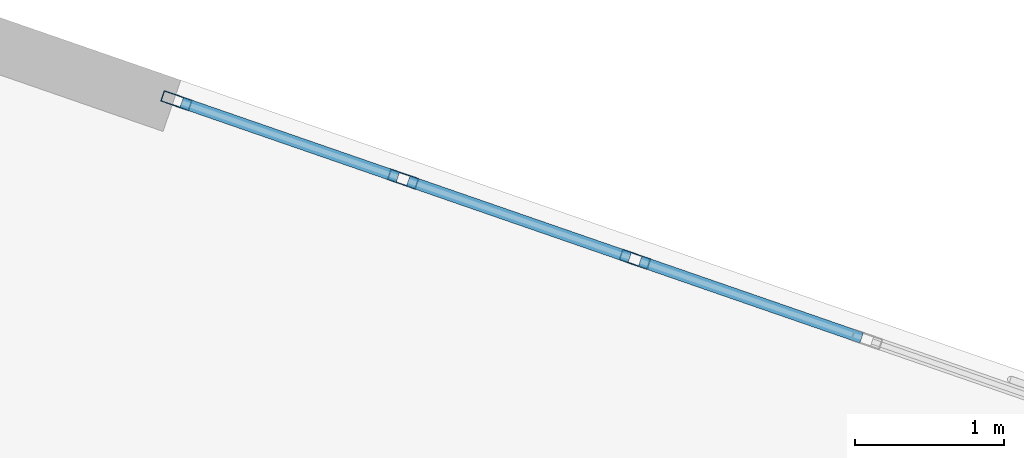
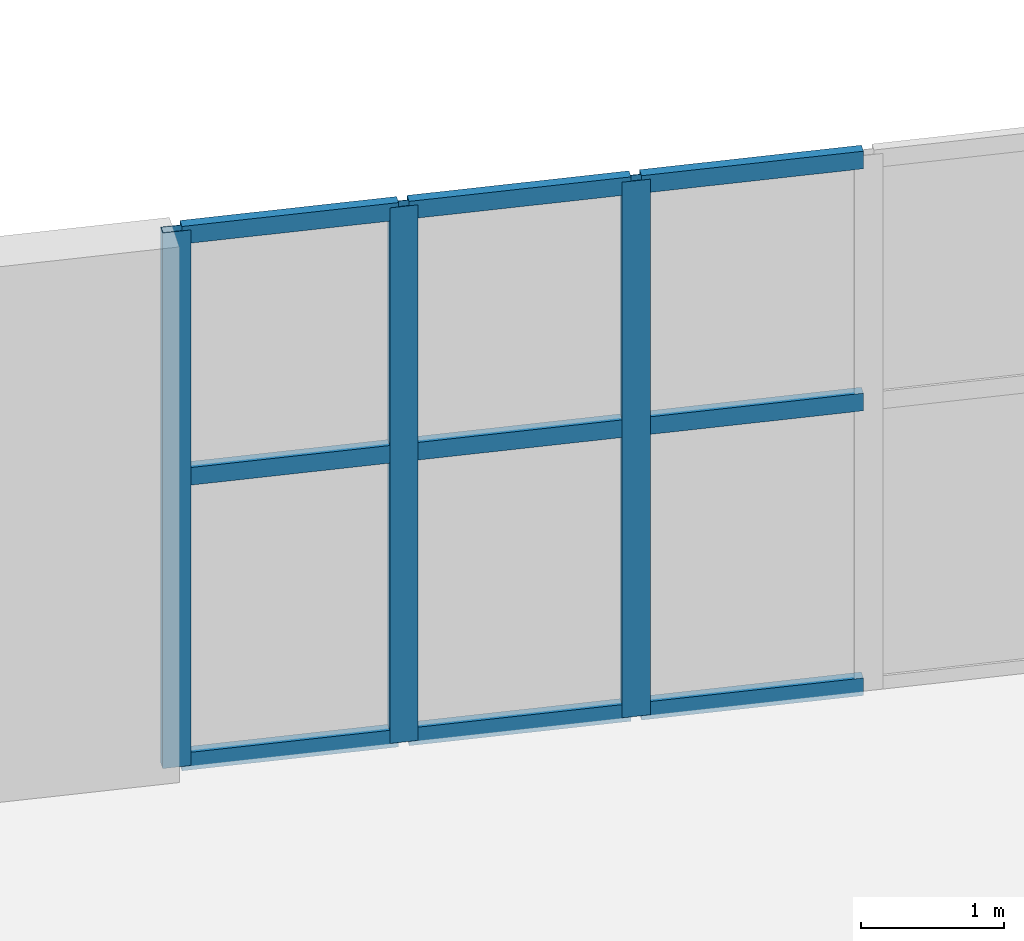
# One storey, part 38 of 72: 12 members, 1 element without a shape of its own.
"""IFC4 building model written with IfcOpenShell, lengths in metres."""

from ifc_helpers import new_model, si_unit, direction, frame, origin, origin_2d, place, context, subcontext, project, spatial, hollow_rectangle, extrude, material, layer, layer_set, material_profile, profile_set, type_object, element, aggregate, save


model = new_model("IFC4")

# Units and contexts
model_context = context("Model", 3, precision=1e-05, world=origin(), true_north=direction((0.0, 1.0)))
body_context = subcontext(model_context, "Body", "Model", "MODEL_VIEW")
ifc_project = project(units=[si_unit("LENGTHUNIT", "METRE"), si_unit("AREAUNIT", "SQUARE_METRE"), si_unit("VOLUMEUNIT", "CUBIC_METRE"), si_unit("PLANEANGLEUNIT", "RADIAN"), si_unit("MASSUNIT", "GRAM", prefix="KILO")], contexts=[model_context])

# Site, building, storey
site_placement = place(None, origin())
site = spatial("IfcSite", under=ifc_project, at=site_placement, CompositionType="ELEMENT")
building_placement = place(site_placement, origin())
building = spatial("IfcBuilding", under=site, at=building_placement, Name="Xicomal Pleat Aquarium", CompositionType="ELEMENT")
storey_placement = place(building_placement, frame((0.0, 0.0, 10.5)))
storey = spatial("IfcBuildingStorey", under=building, at=storey_placement, Name="L03", CompositionType="ELEMENT", Elevation=10.5)

# Curtain wall, members
ifc_material_1 = material(Name="Bronze anodized aluminium 6063-T6", Category="aluminium")
ifc_layer = layer(ifc_material_1, 0.159912109375)
ifc_layer_set = layer_set([ifc_layer], Name="Bronze anodized aluminium 6063-T6")
curtain_wall_type = type_object("IfcCurtainWallType", Name="CW-SYS-08", PredefinedType="NOTDEFINED", material=ifc_layer_set)
curtain_wall_placement = place(storey_placement, origin())
curtain_wall = element("IfcCurtainWall", 1, at=curtain_wall_placement, inside=storey, type_object=curtain_wall_type, Name="L03 unitised curtain wall CW-L03-142", PredefinedType="NOTDEFINED")
ifc_material_2 = material(Name="Bronze anodized aluminium 6063-T6", Category="aluminium")
ifc_material_profile_1 = material_profile(ifc_material_2, hollow_rectangle(XDim=0.074951171875, YDim=0.199951171875, WallThickness=0.00439453125, at=origin_2d()), Name="ALU MULL 75x200")
ifc_profile_set_1 = profile_set([ifc_material_profile_1], Name="Bronze anodized aluminium 6063-T6")
member_type_1 = type_object("IfcMemberType", Name="CWM-75x200", PredefinedType="MULLION", material=ifc_profile_set_1)
member_1_placement = place(storey_placement, frame((157.189453125, 27.5556640625, 0.0), z_axis=(0.0, 0.0, 1.0), x_axis=(0.327110563875, 0.944986073443, 0.0)))
member_1 = element("IfcMember", 2, at=member_1_placement, type_object=member_type_1, Name="CW-08 mullion 1", PredefinedType="MULLION", context=body_context, shape_type="SweptSolid", body=[
    extrude(hollow_rectangle(XDim=0.074951171875, YDim=0.199951171875, WallThickness=0.00439453125, at=origin_2d()), origin(), (0.0, 0.0, 1.0), 4.56005859375),
])
member_2_placement = place(storey_placement, frame((158.714111328125, 27.028076171875, 0.0), z_axis=(0.0, 0.0, 1.0), x_axis=(0.327110563875, 0.944986073443, 0.0)))
member_2 = element("IfcMember", 3, at=member_2_placement, type_object=member_type_1, Name="CW-08 mullion 2", PredefinedType="MULLION", context=body_context, shape_type="SweptSolid", body=[
    extrude(hollow_rectangle(XDim=0.074951171875, YDim=0.199951171875, WallThickness=0.00439453125, at=origin_2d()), origin(), (0.0, 0.0, 1.0), 4.56005859375),
])
member_3_placement = place(storey_placement, frame((160.27392578125, 26.488037109375, 0.0), z_axis=(0.0, 0.0, 1.0), x_axis=(0.327110563875, 0.944986073443, 0.0)))
member_3 = element("IfcMember", 4, at=member_3_placement, type_object=member_type_1, Name="CW-08 mullion 3", PredefinedType="MULLION", context=body_context, shape_type="SweptSolid", body=[
    extrude(hollow_rectangle(XDim=0.074951171875, YDim=0.199951171875, WallThickness=0.00439453125, at=origin_2d()), origin(), (0.0, 0.0, 1.0), 4.56005859375),
])
ifc_material_3 = material(Name="Bronze anodized aluminium 6063-T6", Category="aluminium")
ifc_material_profile_2 = material_profile(ifc_material_3, hollow_rectangle(XDim=0.074951171875, YDim=0.14990234375, WallThickness=0.00439453125, at=origin_2d()), Name="ALU TRAN 75x150")
ifc_profile_set_2 = profile_set([ifc_material_profile_2], Name="Bronze anodized aluminium 6063-T6")
member_type_2 = type_object("IfcMemberType", Name="CWT-75x150", PredefinedType="USERDEFINED", material=ifc_profile_set_2)
member_4_placement = place(storey_placement, frame((157.224853515625, 27.54345703125, 0.03759765625), z_axis=(0.94500305228, -0.327061509782, 0.0), x_axis=(0.327061509782, 0.94500305228, 0.0)))
member_4 = element("IfcMember", 5, at=member_4_placement, type_object=member_type_2, Name="CW-08 transom 1.1", ObjectType="TRANSOM", PredefinedType="USERDEFINED", context=body_context, shape_type="SweptSolid", body=[
    extrude(hollow_rectangle(XDim=0.074951171875, YDim=0.14990234375, WallThickness=0.00439453125, at=origin_2d()), origin(), (0.0, 0.0, 1.0), 1.53857421875),
])
member_5_placement = place(storey_placement, frame((157.224853515625, 27.54345703125, 2.4619140625), z_axis=(0.94500305228, -0.327061509782, 0.0), x_axis=(0.327061509782, 0.94500305228, 0.0)))
member_5 = element("IfcMember", 6, at=member_5_placement, type_object=member_type_2, Name="CW-08 transom 1.2", ObjectType="TRANSOM", PredefinedType="USERDEFINED", context=body_context, shape_type="SweptSolid", body=[
    extrude(hollow_rectangle(XDim=0.074951171875, YDim=0.14990234375, WallThickness=0.00439453125, at=origin_2d()), origin(), (0.0, 0.0, 1.0), 1.53857421875),
])
member_6_placement = place(storey_placement, frame((157.224853515625, 27.54345703125, 4.5224609375), z_axis=(0.94500305228, -0.327061509782, 0.0), x_axis=(0.327061509782, 0.94500305228, 0.0)))
member_6 = element("IfcMember", 7, at=member_6_placement, type_object=member_type_2, Name="CW-08 transom 1.3", ObjectType="TRANSOM", PredefinedType="USERDEFINED", context=body_context, shape_type="SweptSolid", body=[
    extrude(hollow_rectangle(XDim=0.074951171875, YDim=0.14990234375, WallThickness=0.00439453125, at=origin_2d()), origin(), (0.0, 0.0, 1.0), 1.53857421875),
])
member_7_placement = place(storey_placement, frame((158.74951171875, 27.015625, 0.03759765625), z_axis=(0.94499528366, -0.327083955371, 0.0), x_axis=(0.327083955371, 0.94499528366, 0.0)))
member_7 = element("IfcMember", 8, at=member_7_placement, type_object=member_type_2, Name="CW-08 transom 2.1", ObjectType="TRANSOM", PredefinedType="USERDEFINED", context=body_context, shape_type="SweptSolid", body=[
    extrude(hollow_rectangle(XDim=0.074951171875, YDim=0.14990234375, WallThickness=0.00439453125, at=origin_2d()), origin(), (0.0, 0.0, 1.0), 1.57568359375),
])
member_8_placement = place(storey_placement, frame((158.74951171875, 27.015625, 2.4619140625), z_axis=(0.94499528366, -0.327083955371, 0.0), x_axis=(0.327083955371, 0.94499528366, 0.0)))
member_8 = element("IfcMember", 9, at=member_8_placement, type_object=member_type_2, Name="CW-08 transom 2.2", ObjectType="TRANSOM", PredefinedType="USERDEFINED", context=body_context, shape_type="SweptSolid", body=[
    extrude(hollow_rectangle(XDim=0.074951171875, YDim=0.14990234375, WallThickness=0.00439453125, at=origin_2d()), origin(), (0.0, 0.0, 1.0), 1.57568359375),
])
member_9_placement = place(storey_placement, frame((158.74951171875, 27.015625, 4.5224609375), z_axis=(0.94499528366, -0.327083955371, 0.0), x_axis=(0.327083955371, 0.94499528366, 0.0)))
member_9 = element("IfcMember", 10, at=member_9_placement, type_object=member_type_2, Name="CW-08 transom 2.3", ObjectType="TRANSOM", PredefinedType="USERDEFINED", context=body_context, shape_type="SweptSolid", body=[
    extrude(hollow_rectangle(XDim=0.074951171875, YDim=0.14990234375, WallThickness=0.00439453125, at=origin_2d()), origin(), (0.0, 0.0, 1.0), 1.57568359375),
])
member_10_placement = place(storey_placement, frame((160.309326171875, 26.4755859375, 0.03759765625), z_axis=(0.945011856392, -0.327036070302, 0.0), x_axis=(0.327036070302, 0.945011856392, 0.0)))
member_10 = element("IfcMember", 11, at=member_10_placement, type_object=member_type_2, Name="CW-08 transom 3.1", ObjectType="TRANSOM", PredefinedType="USERDEFINED", context=body_context, shape_type="SweptSolid", body=[
    extrude(hollow_rectangle(XDim=0.074951171875, YDim=0.14990234375, WallThickness=0.00439453125, at=origin_2d()), origin(), (0.0, 0.0, 1.0), 1.575927734375),
])
member_11_placement = place(storey_placement, frame((160.309326171875, 26.4755859375, 2.4619140625), z_axis=(0.945011856392, -0.327036070302, 0.0), x_axis=(0.327036070302, 0.945011856392, 0.0)))
member_11 = element("IfcMember", 12, at=member_11_placement, type_object=member_type_2, Name="CW-08 transom 3.2", ObjectType="TRANSOM", PredefinedType="USERDEFINED", context=body_context, shape_type="SweptSolid", body=[
    extrude(hollow_rectangle(XDim=0.074951171875, YDim=0.14990234375, WallThickness=0.00439453125, at=origin_2d()), origin(), (0.0, 0.0, 1.0), 1.575927734375),
])
member_12_placement = place(storey_placement, frame((160.309326171875, 26.4755859375, 4.5224609375), z_axis=(0.945011856392, -0.327036070302, 0.0), x_axis=(0.327036070302, 0.945011856392, 0.0)))
member_12 = element("IfcMember", 13, at=member_12_placement, type_object=member_type_2, Name="CW-08 transom 3.3", ObjectType="TRANSOM", PredefinedType="USERDEFINED", context=body_context, shape_type="SweptSolid", body=[
    extrude(hollow_rectangle(XDim=0.074951171875, YDim=0.14990234375, WallThickness=0.00439453125, at=origin_2d()), origin(), (0.0, 0.0, 1.0), 1.575927734375),
])
aggregate(curtain_wall, [member_1, member_2, member_3, member_4, member_5, member_6, member_7, member_8, member_9, member_10, member_11, member_12])

save(model, "model.ifc")
